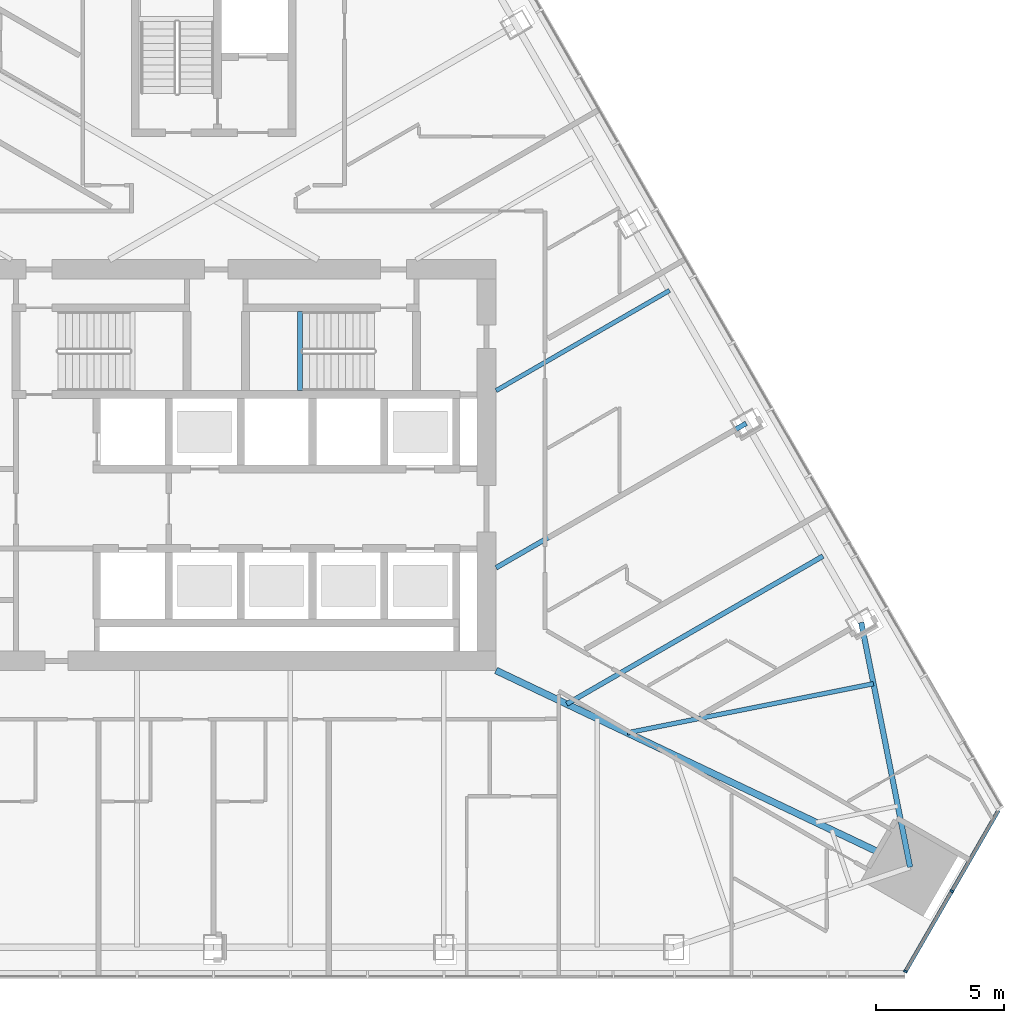
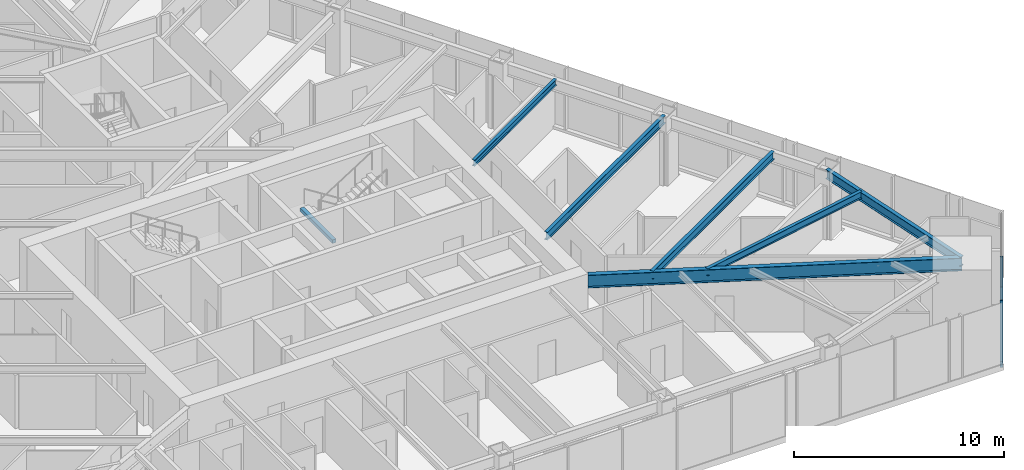
# One storey, part 8 of 21: 7 beams, 4 members, 1 element without a shape of its own.
"""IFC4 building model written with IfcOpenShell, lengths in metres."""

from ifc_helpers import new_model, si_unit, direction, frame, origin, origin_2d, place, context, subcontext, project, spatial, rectangle, i_section, extrude, material, layer, layer_set, material_profile, profile_set, type_object, element, aggregate, save


model = new_model("IFC4")

# Units and contexts
model_context = context("Model", 3, precision=1e-05, world=origin(), true_north=direction((0.0, 1.0)))
body_context = subcontext(model_context, "Body", "Model", "MODEL_VIEW")
ifc_project = project(units=[si_unit("LENGTHUNIT", "METRE"), si_unit("AREAUNIT", "SQUARE_METRE"), si_unit("VOLUMEUNIT", "CUBIC_METRE"), si_unit("PLANEANGLEUNIT", "RADIAN"), si_unit("MASSUNIT", "GRAM", prefix="KILO")], contexts=[model_context])

# Site, building, storey
site_placement = place(None, origin())
site = spatial("IfcSite", under=ifc_project, at=site_placement, CompositionType="ELEMENT")
building_placement = place(site_placement, origin())
building = spatial("IfcBuilding", under=site, at=building_placement, Name="Firuza Gate Tower and Library", CompositionType="ELEMENT")
storey_placement = place(building_placement, frame((0.0, 0.0, 167.5)))
storey = spatial("IfcBuildingStorey", under=building, at=storey_placement, Name="L38", CompositionType="ELEMENT", Elevation=167.5)

# Curtain wall, members
ifc_material_1 = material(Name="Aluminium 6063-T6", Category="aluminium")
ifc_layer = layer(ifc_material_1, 0.14990234375)
ifc_layer_set = layer_set([ifc_layer], Name="Corner curtain wall, chamfers")
curtain_wall_type = type_object("IfcCurtainWallType", Name="Corner curtain wall, chamfers", PredefinedType="NOTDEFINED", material=ifc_layer_set)
curtain_wall_placement = place(storey_placement, origin())
curtain_wall = element("IfcCurtainWall", 1, at=curtain_wall_placement, inside=storey, type_object=curtain_wall_type, Name="CW4 L38 SE corner", PredefinedType="NOTDEFINED")
ifc_material_2 = material(Name="Aluminium 6063-T6", Category="aluminium")
ifc_material_profile_1 = material_profile(ifc_material_2, rectangle(XDim=0.14990234375, YDim=0.080078125, at=origin_2d()))
ifc_profile_set_1 = profile_set([ifc_material_profile_1], Name="Aluminium 6063-T6")
member_type_1 = type_object("IfcMemberType", Name="Curtain wall mullion 80x150", PredefinedType="MULLION", material=ifc_profile_set_1)
member_1_placement = place(storey_placement, frame((101.948974609375, 55.2802734375, 0.14990234375), z_axis=(0.0, 0.0, 1.0), x_axis=(-0.866025403784, 0.5, 0.0)))
member_1 = element("IfcMember", 2, at=member_1_placement, type_object=member_type_1, Name="Mullion", PredefinedType="MULLION", context=body_context, shape_type="SweptSolid", body=[
    extrude(rectangle(XDim=0.14990234375, YDim=0.080078125, at=origin_2d()), origin(), (0.0, 0.0, 1.0), 3.550048828125),
])
member_2_placement = place(storey_placement, frame((103.750732421875, 58.400634765625, 0.14990234375), z_axis=(0.0, 0.0, 1.0), x_axis=(-0.866025403784, 0.5, 0.0)))
member_2 = element("IfcMember", 3, at=member_2_placement, type_object=member_type_1, Name="Mullion", PredefinedType="MULLION", context=body_context, shape_type="SweptSolid", body=[
    extrude(rectangle(XDim=0.14990234375, YDim=0.080078125, at=origin_2d()), origin(), (0.0, 0.0, 1.0), 3.550048828125),
])
ifc_material_3 = material(Name="Aluminium 6063-T6", Category="aluminium")
ifc_material_profile_2 = material_profile(ifc_material_3, rectangle(XDim=0.14990234375, YDim=0.35009765625, at=origin_2d()))
ifc_profile_set_2 = profile_set([ifc_material_profile_2], Name="Aluminium 6063-T6")
member_type_2 = type_object("IfcMemberType", Name="Curtain wall transom 350x150", PredefinedType="USERDEFINED", material=ifc_profile_set_2)
member_3_placement = place(storey_placement, frame((101.92919921875, 55.24560546875, -0.02490234375), z_axis=(0.499980589496, 0.866036610154, 0.0), x_axis=(-0.866036610154, 0.499980589496, 0.0)))
member_3 = element("IfcMember", 4, at=member_3_placement, type_object=member_type_2, Name="Transom", ObjectType="TRANSOM", PredefinedType="USERDEFINED", context=body_context, shape_type="SweptSolid", body=[
    extrude(rectangle(XDim=0.14990234375, YDim=0.35009765625, at=origin_2d()), origin(), (0.0, 0.0, 1.0), 7.286376953125),
])
ifc_material_4 = material(Name="Aluminium 6063-T6", Category="aluminium")
ifc_material_profile_3 = material_profile(ifc_material_4, rectangle(XDim=0.14990234375, YDim=0.080078125, at=origin_2d()))
ifc_profile_set_3 = profile_set([ifc_material_profile_3], Name="Aluminium 6063-T6")
member_type_3 = type_object("IfcMemberType", Name="Curtain wall transom 80x150", PredefinedType="USERDEFINED", material=ifc_profile_set_3)
member_4_placement = place(storey_placement, frame((101.948974609375, 55.2802734375, 1.925048828125), z_axis=(0.500015035186, 0.866016723041, 0.0), x_axis=(-0.866016723041, 0.500015035186, 0.0)))
member_4 = element("IfcMember", 5, at=member_4_placement, type_object=member_type_3, Name="Transom", ObjectType="TRANSOM", PredefinedType="USERDEFINED", context=body_context, shape_type="SweptSolid", body=[
    extrude(rectangle(XDim=0.14990234375, YDim=0.080078125, at=origin_2d()), origin(), (0.0, 0.0, 1.0), 3.5634765625),
])
aggregate(curtain_wall, [member_1, member_2, member_3, member_4])

# Beams
ifc_material_5 = material(Name="Concrete C35/45", Category="concrete")
ifc_material_profile_4 = material_profile(ifc_material_5, rectangle(XDim=0.199951171875, YDim=0.199951171875, at=origin_2d()))
ifc_profile_set_4 = profile_set([ifc_material_profile_4], Name="Concrete C35/45")
beam_type_1 = type_object("IfcBeamType", Name="Stair landing bearer 200x200", PredefinedType="BEAM", material=ifc_profile_set_4)
beam_1_placement = place(storey_placement, frame((78.360107421875, 80.97998046875, 1.64990234375), z_axis=(0.0, -1.0, 0.0), x_axis=(1.0, 0.0, 0.0)))
element("IfcBeam", 6, at=beam_1_placement, inside=storey, type_object=beam_type_1, Name="Landing bearer L38 stair 2", PredefinedType="BEAM", context=body_context, shape_type="SweptSolid", body=[
    extrude(rectangle(XDim=0.199951171875, YDim=0.199951171875, at=origin_2d()), origin(), (0.0, 0.0, 1.0), 3.080078125),
])
ifc_material_6 = material(Name="Steel S355", Category="steel")
ifc_material_profile_5 = material_profile(ifc_material_6, i_section(OverallWidth=0.1708984375, OverallDepth=0.35498046875, WebThickness=0.007080078125, FlangeThickness=0.01171875, at=origin_2d()))
ifc_profile_set_5 = profile_set([ifc_material_profile_5], Name="Steel S355")
beam_type_2 = type_object("IfcBeamType", Name="W360x51 Floor beam", PredefinedType="JOIST", material=ifc_profile_set_5)
beam_2_placement = place(storey_placement, frame((92.757080078125, 81.802734375, 3.5224609375), z_axis=(-0.866016236382, -0.500015878071, 0.0), x_axis=(0.500015878071, -0.866016236382, 0.0)))
element("IfcBeam", 7, at=beam_2_placement, inside=storey, type_object=beam_type_2, Name="Floor beam L38 s52", PredefinedType="JOIST", context=body_context, shape_type="SweptSolid", body=[
    extrude(i_section(OverallWidth=0.1708984375, OverallDepth=0.35498046875, WebThickness=0.007080078125, FlangeThickness=0.01171875, at=origin_2d()), origin(), (0.0, 0.0, 1.0), 7.802490234375),
])
ifc_material_7 = material(Name="Steel S355", Category="steel")
ifc_material_profile_6 = material_profile(ifc_material_7, i_section(OverallWidth=0.177978515625, OverallDepth=0.406982421875, WebThickness=0.0078125, FlangeThickness=0.0126953125, at=origin_2d()))
ifc_profile_set_6 = profile_set([ifc_material_profile_6], Name="Steel S355")
beam_type_3 = type_object("IfcBeamType", Name="W410x60 Floor beam", PredefinedType="JOIST", material=ifc_profile_set_6)
beam_3_placement = place(storey_placement, frame((100.70068359375, 66.48486328125, 3.49658203125), z_axis=(-0.980667968547, -0.195679164617, 0.0), x_axis=(0.195679164617, -0.980667968547, 0.0)))
element("IfcBeam", 8, at=beam_3_placement, inside=storey, type_object=beam_type_3, Name="Floor beam L38 s41", PredefinedType="JOIST", context=body_context, shape_type="SweptSolid", body=[
    extrude(i_section(OverallWidth=0.177978515625, OverallDepth=0.406982421875, WebThickness=0.0078125, FlangeThickness=0.0126953125, at=origin_2d()), origin(), (0.0, 0.0, 1.0), 9.77783203125),
])
ifc_material_8 = material(Name="Steel S355", Category="steel")
ifc_material_profile_7 = material_profile(ifc_material_8, i_section(OverallWidth=0.18994140625, OverallDepth=0.45703125, WebThickness=0.009033203125, FlangeThickness=0.014404296875, at=origin_2d()))
ifc_profile_set_7 = profile_set([ifc_material_profile_7], Name="Steel S355")
beam_type_4 = type_object("IfcBeamType", Name="W460x74 Floor beam", PredefinedType="JOIST", material=ifc_profile_set_7)
beam_4_placement = place(storey_placement, frame((98.731689453125, 71.454345703125, 3.471435546875), z_axis=(-0.866028586684, -0.499994487016, 0.0), x_axis=(0.499994487016, -0.866028586684, 0.0)))
element("IfcBeam", 9, at=beam_4_placement, inside=storey, type_object=beam_type_4, Name="Floor beam L38 s50", PredefinedType="JOIST", context=body_context, shape_type="SweptSolid", body=[
    extrude(i_section(OverallWidth=0.18994140625, OverallDepth=0.45703125, WebThickness=0.009033203125, FlangeThickness=0.014404296875, at=origin_2d()), origin(), (0.0, 0.0, 1.0), 11.523681640625),
])
beam_5_placement = place(storey_placement, frame((95.744384765625, 76.62841796875, 3.471435546875), z_axis=(-0.866023348946, -0.500003559068, 0.0), x_axis=(0.500003559068, -0.866023348946, 0.0)))
element("IfcBeam", 10, at=beam_5_placement, inside=storey, type_object=beam_type_4, Name="Floor beam L38 s51", PredefinedType="JOIST", context=body_context, shape_type="SweptSolid", body=[
    extrude(i_section(OverallWidth=0.18994140625, OverallDepth=0.45703125, WebThickness=0.009033203125, FlangeThickness=0.014404296875, at=origin_2d()), origin(), (0.0, 0.0, 1.0), 11.251953125),
])
ifc_material_9 = material(Name="Steel S355", Category="steel")
ifc_material_profile_8 = material_profile(ifc_material_9, i_section(OverallWidth=0.212890625, OverallDepth=0.5390625, WebThickness=0.01171875, FlangeThickness=0.018798828125, at=origin_2d()))
ifc_profile_set_8 = profile_set([ifc_material_profile_8], Name="Steel S355")
beam_type_5 = type_object("IfcBeamType", Name="W530x109 Edge beam", PredefinedType="SPANDREL", material=ifc_profile_set_8)
beam_6_placement = place(storey_placement, frame((102.126953125, 59.338134765625, 3.430419921875), z_axis=(-0.195700584523, 0.980663694249, 0.0), x_axis=(-0.980663694249, -0.195700584523, 0.0)))
element("IfcBeam", 11, at=beam_6_placement, inside=storey, type_object=beam_type_5, Name="Edge beam L38 e40", PredefinedType="SPANDREL", context=body_context, shape_type="SweptSolid", body=[
    extrude(i_section(OverallWidth=0.212890625, OverallDepth=0.5390625, WebThickness=0.01171875, FlangeThickness=0.018798828125, at=origin_2d()), origin(), (0.0, 0.0, 1.0), 9.717041015625),
])
ifc_material_10 = material(Name="Steel S355", Category="steel")
ifc_material_profile_9 = material_profile(ifc_material_10, i_section(OverallWidth=0.264892578125, OverallDepth=0.7529296875, WebThickness=0.01318359375, FlangeThickness=0.01708984375, at=origin_2d()))
ifc_profile_set_9 = profile_set([ifc_material_profile_9], Name="Steel S355")
beam_type_6 = type_object("IfcBeamType", Name="W760x147 Girder", PredefinedType="BEAM", material=ifc_profile_set_9)
beam_7_placement = place(storey_placement, frame((102.126953125, 59.338134765625, 3.323486328125), z_axis=(-0.903243585223, 0.429128215984, 0.0), x_axis=(-0.429128215984, -0.903243585223, 0.0)))
element("IfcBeam", 12, at=beam_7_placement, inside=storey, type_object=beam_type_6, Name="Girder L38 gSE", PredefinedType="BEAM", context=body_context, shape_type="SweptSolid", body=[
    extrude(i_section(OverallWidth=0.264892578125, OverallDepth=0.7529296875, WebThickness=0.01318359375, FlangeThickness=0.01708984375, at=origin_2d()), origin(), (0.0, 0.0, 1.0), 17.8544921875),
])

save(model, "model.ifc")
